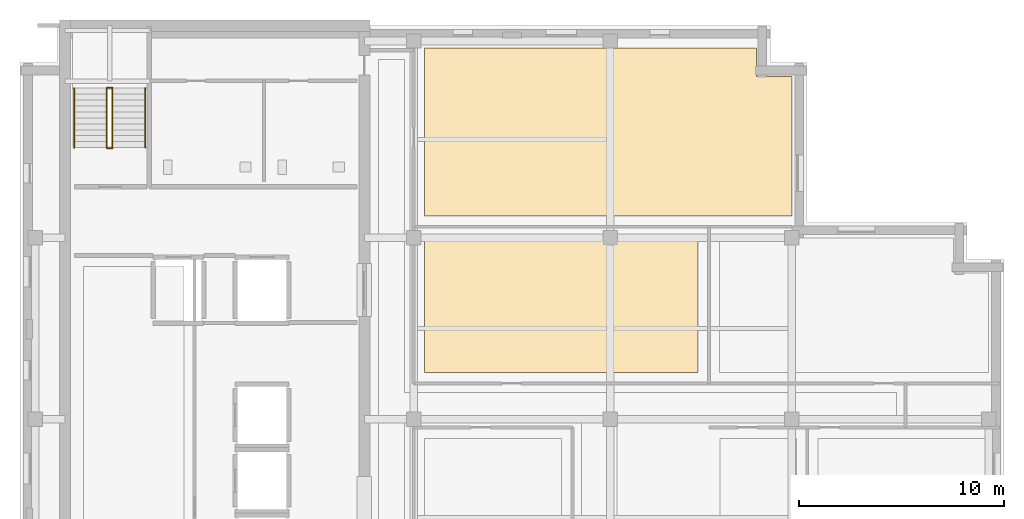
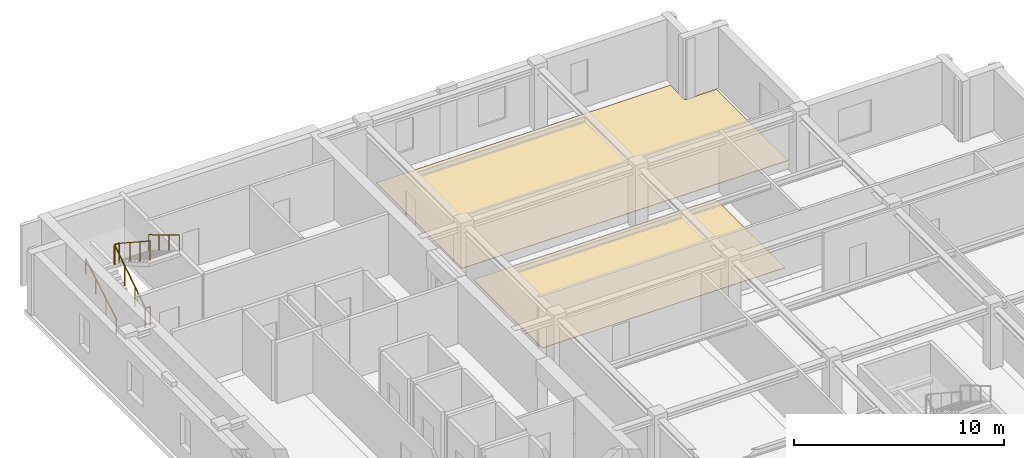
# One storey, part 8 of 10: 6 railings, 2 coverings.
"""IFC4 building model written with IfcOpenShell, lengths in metres."""

from ifc_helpers import new_model, si_unit, direction, frame, origin, origin_2d, place, context, subcontext, project, spatial, polyline, circle, outline, extrude, material, layer, layer_set, type_object, element, save


model = new_model("IFC4")

# Units and contexts
model_context = context("Model", 3, precision=1e-05, world=origin(), true_north=direction((0.0, 1.0)))
body_context = subcontext(model_context, "Body", "Model", "MODEL_VIEW")
ifc_project = project(units=[si_unit("LENGTHUNIT", "METRE"), si_unit("AREAUNIT", "SQUARE_METRE"), si_unit("VOLUMEUNIT", "CUBIC_METRE"), si_unit("PLANEANGLEUNIT", "RADIAN"), si_unit("MASSUNIT", "GRAM", prefix="KILO")], contexts=[model_context])

# Site, building, storey
site_placement = place(None, origin())
site = spatial("IfcSite", under=ifc_project, at=site_placement, CompositionType="ELEMENT")
building_placement = place(site_placement, origin())
building = spatial("IfcBuilding", under=site, at=building_placement, Name="Norrvale University Quadrangle", CompositionType="ELEMENT")
storey_placement = place(building_placement, frame((0.0, 0.0, 296.199951171875)))
storey = spatial("IfcBuildingStorey", under=building, at=storey_placement, Name="L75", CompositionType="ELEMENT", Elevation=296.199951171875)

# Coverings
ifc_material_1 = material(Name="Polished Terrazzo Flooring")
ifc_layer = layer(ifc_material_1, 0.02490234375, Name="Polished Terrazzo Flooring")
ifc_layer_set = layer_set([ifc_layer], Name="Polished Terrazzo Flooring")
covering_type = type_object("IfcCoveringType", Name="Covering Terrazzo Floor 30", PredefinedType="FLOORING", material=ifc_layer_set)
covering_1_placement = place(storey_placement, origin())
element("IfcCovering", 1, at=covering_1_placement, inside=storey, type_object=covering_type, Name="Terrazzo Flooring RM-L75-ME01", PredefinedType="FLOORING", context=body_context, shape_type="SweptSolid", body=[
    extrude(outline(polyline([(19.72998046875, 37.64990234375), (33.070068359375, 37.64990234375), (33.070068359375, 31.080078125), (19.72998046875, 31.080078125), (19.72998046875, 37.64990234375)])), origin(), (0.0, 0.0, 1.0), 0.025146484375),
])
covering_2_placement = place(storey_placement, origin())
element("IfcCovering", 2, at=covering_2_placement, inside=storey, type_object=covering_type, Name="Terrazzo Flooring RM-L75-NE01", PredefinedType="FLOORING", context=body_context, shape_type="SweptSolid", body=[
    extrude(outline(polyline([(37.64990234375, 38.7099609375), (19.72998046875, 38.7099609375), (19.72998046875, 46.919921875), (35.929931640625, 46.919921875), (35.929931640625, 45.530029296875), (37.64990234375, 45.530029296875), (37.64990234375, 38.7099609375)])), origin(), (0.0, 0.0, 1.0), 0.025146484375),
])

# Railings
ifc_material_2 = material(Name="Steel 350W Painted Balustrade", Category="steel")
railing_type_1 = type_object("IfcRailingType", Name="Railing Stair Guard 1100", PredefinedType="GUARDRAIL", material=ifc_material_2)
for number, where, name in (
    (3, (4.239990234375, 42.02001953125, 0.0), "Stair Floor Well Guard ST-02 L75"),
    (4, (4.239990234375, 44.97998046875, 1.900146484375), "Stair Mid-Landing Slot Guard ST-02 L75"),
):
    element("IfcRailing", number, at=place(storey_placement, frame(where)), inside=storey, type_object=railing_type_1, Name=name, PredefinedType="GUARDRAIL", context=body_context, shape_type="SweptSolid", body=[
        extrude(circle(Radius=0.02392578125, at=origin_2d()), frame((0.0, 0.0, 1.1259765625), z_axis=(1.0, 0.0, 0.0), x_axis=(0.0, 1.0, 0.0)), (0.0, 0.0, 1.0), 0.27001953125),
        extrude(circle(Radius=0.02099609375, at=origin_2d()), origin(), (0.0, 0.0, 1.0), 1.101806640625),
        extrude(circle(Radius=0.02099609375, at=origin_2d()), frame((0.27001953125, 0.0, 0.0)), (0.0, 0.0, 1.0), 1.101806640625),
    ])
railing_1_placement = place(storey_placement, frame((4.239990234375, 42.050048828125, 0.0)))
element("IfcRailing", 5, at=railing_1_placement, inside=storey, type_object=railing_type_1, Name="Stair Lower Flight Inner Guard ST-02 L75", PredefinedType="GUARDRAIL", context=body_context, shape_type="SweptSolid", body=[
    extrude(circle(Radius=0.02392578125, at=origin_2d()), frame((0.0, 0.0, 1.1259765625), z_axis=(0.0, 0.836433300813, 0.548068730445), x_axis=(-1.0, 0.0, 0.0)), (0.0, 0.0, 1.0), 3.467041015625),
    extrude(circle(Radius=0.02099609375, at=origin_2d()), origin(), (0.0, 0.0, 1.0), 1.101806640625),
    extrude(circle(Radius=0.02099609375, at=origin_2d()), frame((0.0, 0.966552734375, 0.63330078125)), (0.0, 0.0, 1.0), 1.101806640625),
    extrude(circle(Radius=0.02099609375, at=origin_2d()), frame((0.0, 1.933349609375, 1.266845703125)), (0.0, 0.0, 1.0), 1.101806640625),
    extrude(circle(Radius=0.02099609375, at=origin_2d()), frame((0.0, 2.89990234375, 1.900146484375)), (0.0, 0.0, 1.0), 1.101806640625),
])
railing_2_placement = place(storey_placement, frame((4.510009765625, 44.949951171875, 1.900146484375)))
element("IfcRailing", 6, at=railing_2_placement, inside=storey, type_object=railing_type_1, Name="Stair Upper Flight Inner Guard ST-02 L75", PredefinedType="GUARDRAIL", context=body_context, shape_type="SweptSolid", body=[
    extrude(circle(Radius=0.02392578125, at=origin_2d()), frame((0.0, 0.0, 1.1259765625), z_axis=(0.0, -0.836465582154, 0.548019461216), x_axis=(1.0, 0.0, 0.0)), (0.0, 0.0, 1.0), 3.466796875),
    extrude(circle(Radius=0.02099609375, at=origin_2d()), origin(), (0.0, 0.0, 1.0), 1.101806640625),
    extrude(circle(Radius=0.02099609375, at=origin_2d()), frame((0.0, -0.966552734375, 0.63330078125)), (0.0, 0.0, 1.0), 1.101806640625),
    extrude(circle(Radius=0.02099609375, at=origin_2d()), frame((0.0, -1.933349609375, 1.2666015625)), (0.0, 0.0, 1.0), 1.101806640625),
    extrude(circle(Radius=0.02099609375, at=origin_2d()), frame((0.0, -2.89990234375, 1.89990234375)), (0.0, 0.0, 1.0), 1.101806640625),
])
ifc_material_3 = material(Name="Stainless Steel 316L Handrail", Category="steel")
railing_type_2 = type_object("IfcRailingType", Name="Railing Stair Handrail 920", PredefinedType="HANDRAIL", material=ifc_material_3)
railing_3_placement = place(storey_placement, frame((2.639892578125, 42.050048828125, 0.1728515625)))
element("IfcRailing", 7, at=railing_3_placement, inside=storey, type_object=railing_type_2, Name="Stair Lower Flight Handrail ST-02 L75", PredefinedType="HANDRAIL", context=body_context, shape_type="SweptSolid", body=[
    extrude(circle(Radius=0.02392578125, at=origin_2d()), frame((0.0, 0.0, 0.89599609375), z_axis=(0.0, 0.859141464434, 0.511738159696), x_axis=(-1.0, 0.0, 0.0)), (0.0, 0.0, 1.0), 3.375244140625),
    extrude(circle(Radius=0.02099609375, at=origin_2d()), origin(), (0.0, 0.0, 1.0), 0.871826171875),
    extrude(circle(Radius=0.02099609375, at=origin_2d()), frame((0.0, 0.966552734375, 0.57568359375)), (0.0, 0.0, 1.0), 0.871826171875),
    extrude(circle(Radius=0.02099609375, at=origin_2d()), frame((0.0, 1.933349609375, 1.151611328125)), (0.0, 0.0, 1.0), 0.871826171875),
    extrude(circle(Radius=0.02099609375, at=origin_2d()), frame((0.0, 2.89990234375, 1.727294921875)), (0.0, 0.0, 1.0), 0.871826171875),
])
railing_4_placement = place(storey_placement, frame((6.110107421875, 44.949951171875, 2.07275390625)))
element("IfcRailing", 8, at=railing_4_placement, inside=storey, type_object=railing_type_2, Name="Stair Upper Flight Handrail ST-02 L75", PredefinedType="HANDRAIL", context=body_context, shape_type="SweptSolid", body=[
    extrude(circle(Radius=0.02392578125, at=origin_2d()), frame((0.0, 0.0, 0.89599609375), z_axis=(0.0, -0.859141464434, 0.511738159696), x_axis=(1.0, 0.0, 0.0)), (0.0, 0.0, 1.0), 3.375244140625),
    extrude(circle(Radius=0.02099609375, at=origin_2d()), origin(), (0.0, 0.0, 1.0), 0.871826171875),
    extrude(circle(Radius=0.02099609375, at=origin_2d()), frame((0.0, -0.966552734375, 0.57568359375)), (0.0, 0.0, 1.0), 0.871826171875),
    extrude(circle(Radius=0.02099609375, at=origin_2d()), frame((0.0, -1.933349609375, 1.151611328125)), (0.0, 0.0, 1.0), 0.871826171875),
    extrude(circle(Radius=0.02099609375, at=origin_2d()), frame((0.0, -2.89990234375, 1.727294921875)), (0.0, 0.0, 1.0), 0.871826171875),
])

save(model, "model.ifc")
